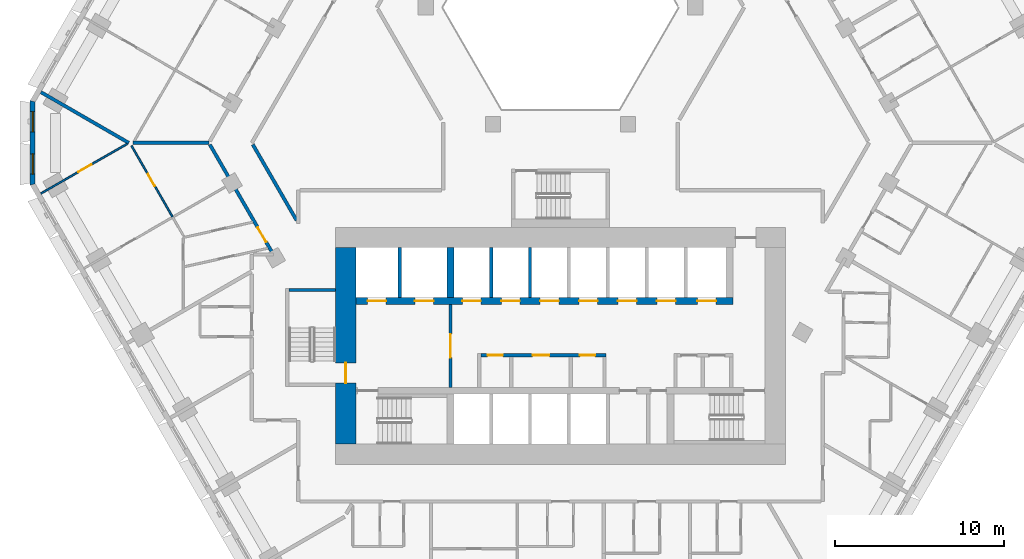
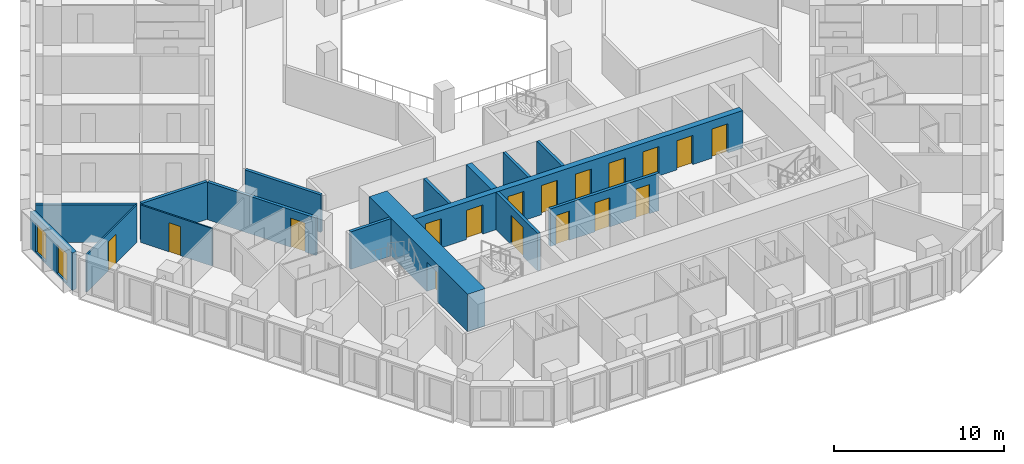
# One storey, part 5 of 21: 17 doors, 16 walls, 2 windows, 19 openings.
"""IFC4 building model written with IfcOpenShell, lengths in metres."""

from ifc_helpers import new_model, si_unit, direction, frame, frame_2d, origin, place, context, subcontext, project, spatial, polyline, rectangle, outline, extrude, material, layer, layer_set, type_object, element, fill, save


model = new_model("IFC4")

# Units and contexts
model_context = context("Model", 3, precision=1e-05, world=origin(), true_north=direction((0.0, 1.0)))
body_context = subcontext(model_context, "Body", "Model", "MODEL_VIEW")
ifc_project = project(units=[si_unit("LENGTHUNIT", "METRE"), si_unit("AREAUNIT", "SQUARE_METRE"), si_unit("VOLUMEUNIT", "CUBIC_METRE"), si_unit("PLANEANGLEUNIT", "RADIAN"), si_unit("MASSUNIT", "GRAM", prefix="KILO")], contexts=[model_context])

# Site, building, storey
site_placement = place(None, origin())
site = spatial("IfcSite", under=ifc_project, at=site_placement, CompositionType="ELEMENT")
building_placement = place(site_placement, origin())
building = spatial("IfcBuilding", under=site, at=building_placement, Name="Beryl Residences", CompositionType="ELEMENT")
storey_placement = place(building_placement, frame((0.0, 0.0, 29.39990234375)))
storey = spatial("IfcBuildingStorey", under=building, at=storey_placement, Name="L08", CompositionType="ELEMENT", Elevation=29.39990234375)

# Wall, openings, windows
ifc_material_1 = material(Name="Composite metal panel with mineral wool insulation")
ifc_layer_1 = layer(ifc_material_1, 0.300048828125)
ifc_layer_set_1 = layer_set([ifc_layer_1], Name="ES1 pale metal composite panel wall 300 mm")
wall_type_1 = type_object("IfcWallType", Name="ES1 pale metal composite panel wall 300 mm", PredefinedType="SOLIDWALL", material=ifc_layer_set_1)
wall_1_placement = place(storey_placement, frame((-31.199951171875, 2.5, 0.0), z_axis=(0.0, 0.0, 1.0), x_axis=(0.0, -1.0, 0.0)))
wall_1 = element("IfcWall", 1, at=wall_1_placement, inside=storey, type_object=wall_type_1, Name="ES1 external wall L08 NW-SW", PredefinedType="SOLIDWALL", context=body_context, shape_type="SweptSolid", body=[
    extrude(outline(polyline([(0.0, -0.14990234375), (5.0, -0.14990234375), (4.919677734375, 0.14990234375), (0.080322265625, 0.14990234375), (0.0, -0.14990234375)])), origin(), (0.0, 0.0, 1.0), 2.7001953125),
])
opening_1_placement = place(wall_1_placement, frame((0.64990234375, 0.0, 0.14990234375)))
opening_1 = element("IfcOpeningElement", 2, at=opening_1_placement, cuts=wall_1, Name="Opening W2", PredefinedType="OPENING", context=body_context, shape_type="SweptSolid", body=[
    extrude(rectangle(XDim=1.199951171875, YDim=2.10009765625, at=frame_2d((0.60009765625, 1.050048828125))), frame((0.0, 0.159912109375, 0.0), z_axis=(0.0, -1.0, 0.0), x_axis=(1.0, 0.0, 0.0)), (0.0, 0.0, 1.0), 0.320068359375),
])
opening_2_placement = place(wall_1_placement, frame((3.14990234375, 0.0, 0.14990234375)))
opening_2 = element("IfcOpeningElement", 3, at=opening_2_placement, cuts=wall_1, Name="Opening W2", PredefinedType="OPENING", context=body_context, shape_type="SweptSolid", body=[
    extrude(rectangle(XDim=1.199951171875, YDim=2.10009765625, at=frame_2d((0.60009765625, 1.050048828125))), frame((0.0, 0.159912109375, 0.0), z_axis=(0.0, -1.0, 0.0), x_axis=(1.0, 0.0, 0.0)), (0.0, 0.0, 1.0), 0.320068359375),
])
ifc_material_2 = material(Name="Aluminium and clear glass", Category="aluminium")
window_type = type_object("IfcWindowType", Name="W2 chamfer window 1200 x 2100 mm", PartitioningType="SINGLE_PANEL", PredefinedType="WINDOW", material=ifc_material_2)
window_1_placement = place(opening_1_placement, origin())
window_1 = element("IfcWindow", 4, at=window_1_placement, inside=storey, type_object=window_type, Name="W2 window L08 NW-SW 1", OverallHeight=2.10009765625, OverallWidth=1.199951171875, PartitioningType="SINGLE_PANEL", PredefinedType="WINDOW", context=body_context, shape_type="SweptSolid", body=[
    extrude(rectangle(XDim=1.199951171875, YDim=2.10009765625, at=frame_2d((0.60009765625, 1.050048828125))), frame((0.0, 0.030029296875, 0.0), z_axis=(0.0, -1.0, 0.0), x_axis=(1.0, 0.0, 0.0)), (0.0, 0.0, 1.0), 0.06005859375),
])
fill(opening_1, window_1)
window_2_placement = place(opening_2_placement, origin())
window_2 = element("IfcWindow", 5, at=window_2_placement, inside=storey, type_object=window_type, Name="W2 window L08 NW-SW 2", OverallHeight=2.10009765625, OverallWidth=1.199951171875, PartitioningType="SINGLE_PANEL", PredefinedType="WINDOW", context=body_context, shape_type="SweptSolid", body=[
    extrude(rectangle(XDim=1.199951171875, YDim=2.10009765625, at=frame_2d((0.60009765625, 1.050048828125))), frame((0.0, 0.030029296875, 0.0), z_axis=(0.0, -1.0, 0.0), x_axis=(1.0, 0.0, 0.0)), (0.0, 0.0, 1.0), 0.06005859375),
])
fill(opening_2, window_2)

# Wall, opening, door
ifc_material_3 = material(Name="Gypsum board partition on steel studs", Category="steel")
ifc_layer_2 = layer(ifc_material_3, 0.10009765625)
ifc_layer_set_2 = layer_set([ifc_layer_2], Name="PT1 partition 100 mm gypsum board on steel studs")
wall_type_2 = type_object("IfcWallType", Name="PT1 partition 100 mm gypsum board on steel studs", PredefinedType="PARTITIONING", material=ifc_layer_set_2)
wall_2_placement = place(storey_placement, frame((-25.35791015625, -0.174072265625, 0.0), z_axis=(0.0, 0.0, 1.0), x_axis=(0.500093956194, -0.865971151354, 0.0)))
wall_2 = element("IfcWall", 6, at=wall_2_placement, inside=storey, type_object=wall_type_2, Name="Wall PT1 L08 002", PredefinedType="PARTITIONING", context=body_context, shape_type="SweptSolid", body=[
    extrude(rectangle(XDim=4.873046875, YDim=0.10009765625, at=frame_2d((2.4365234375, 0.0))), origin(), (0.0, 0.0, 1.0), 2.7001953125),
])
opening_3_placement = place(wall_2_placement, frame((1.93701171875, 0.0, 0.0)))
opening_3 = element("IfcOpeningElement", 7, at=opening_3_placement, cuts=wall_2, Name="Opening D0175", PredefinedType="OPENING", context=body_context, shape_type="SweptSolid", body=[
    extrude(rectangle(XDim=0.800048828125, YDim=2.10009765625, at=frame_2d((0.39990234375, 1.050048828125))), frame((0.0, 0.06005859375, 0.0), z_axis=(0.0, -1.0, 0.0), x_axis=(1.0, 0.0, 0.0)), (0.0, 0.0, 1.0), 0.1201171875),
])
ifc_material_4 = material(Name="Timber door leaf", Category="wood")
door_type_1 = type_object("IfcDoorType", Name="D3 bathroom door 800 x 2100 mm", OperationType="SINGLE_SWING_LEFT", PredefinedType="DOOR", material=ifc_material_4)
door_1_placement = place(opening_3_placement, origin())
door_1 = element("IfcDoor", 8, at=door_1_placement, inside=storey, type_object=door_type_1, Name="Door D0175 L08 001", OperationType="SINGLE_SWING_LEFT", OverallHeight=2.10009765625, OverallWidth=0.800048828125, PredefinedType="DOOR", context=body_context, shape_type="SweptSolid", body=[
    extrude(rectangle(XDim=0.800048828125, YDim=2.10009765625, at=frame_2d((0.39990234375, 1.050048828125))), frame((0.0, 0.02490234375, 0.0), z_axis=(0.0, -1.0, 0.0), x_axis=(1.0, 0.0, 0.0)), (0.0, 0.0, 1.0), 0.050048828125),
])
fill(opening_3, door_1)

wall_3_placement = place(storey_placement, frame((-30.715087890625, -3.0, 0.0), z_axis=(0.0, 0.0, 1.0), x_axis=(0.866054318203, 0.499949915414, 0.0)))
wall_3 = element("IfcWall", 9, at=wall_3_placement, inside=storey, type_object=wall_type_2, Name="Wall PT1 L08 065", PredefinedType="PARTITIONING", context=body_context, shape_type="SweptSolid", body=[
    extrude(rectangle(XDim=5.88427734375, YDim=0.10009765625, at=frame_2d((2.942138671875, 0.0))), origin(), (0.0, 0.0, 1.0), 2.7001953125),
])
opening_4_placement = place(wall_3_placement, frame((2.550048828125, 0.0, 0.0)))
opening_4 = element("IfcOpeningElement", 10, at=opening_4_placement, cuts=wall_3, Name="Opening D0174", PredefinedType="OPENING", context=body_context, shape_type="SweptSolid", body=[
    extrude(rectangle(XDim=0.89990234375, YDim=2.10009765625, at=frame_2d((0.449951171875, 1.050048828125))), frame((0.0, 0.06005859375, 0.0), z_axis=(0.0, -1.0, 0.0), x_axis=(1.0, 0.0, 0.0)), (0.0, 0.0, 1.0), 0.1201171875),
])
ifc_material_5 = material(Name="Timber door leaf", Category="wood")
door_type_2 = type_object("IfcDoorType", Name="D2 room door 900 x 2100 mm", OperationType="SINGLE_SWING_LEFT", PredefinedType="DOOR", material=ifc_material_5)
door_2_placement = place(opening_4_placement, origin())
door_2 = element("IfcDoor", 11, at=door_2_placement, inside=storey, type_object=door_type_2, Name="Door D0174 L08 001", OperationType="SINGLE_SWING_RIGHT", OverallHeight=2.10009765625, OverallWidth=0.89990234375, PredefinedType="DOOR", context=body_context, shape_type="SweptSolid", body=[
    extrude(rectangle(XDim=0.89990234375, YDim=2.10009765625, at=frame_2d((0.449951171875, 1.050048828125))), frame((0.0, 0.02490234375, 0.0), z_axis=(0.0, -1.0, 0.0), x_axis=(1.0, 0.0, 0.0)), (0.0, 0.0, 1.0), 0.050048828125),
])
fill(opening_4, door_2)

ifc_material_6 = material(Name="Concrete masonry", Category="masonry")
ifc_layer_3 = layer(ifc_material_6, 0.199951171875)
ifc_layer_set_3 = layer_set([ifc_layer_3], Name="PT13 lobby wall 200 mm")
wall_type_3 = type_object("IfcWallType", Name="PT13 lobby wall 200 mm", PredefinedType="PARTITIONING", material=ifc_layer_set_3)
wall_4_placement = place(storey_placement, frame((-6.5, -14.449951171875, 0.0), z_axis=(0.0, 0.0, 1.0), x_axis=(0.0, 1.0, 0.0)))
wall_4 = element("IfcWall", 12, at=wall_4_placement, inside=storey, type_object=wall_type_3, Name="Lobby wall 06", PredefinedType="PARTITIONING", context=body_context, shape_type="SweptSolid", body=[
    extrude(rectangle(XDim=4.89990234375, YDim=0.199951171875, at=frame_2d((2.449951171875, 0.0))), origin(), (0.0, 0.0, 1.0), 2.7001953125),
])
opening_5_placement = place(wall_4_placement, frame((3.14990234375, 0.0, 0.0), z_axis=(0.0, 0.0, 1.0), x_axis=(-1.0, 0.0, 0.0)))
opening_5 = element("IfcOpeningElement", 13, at=opening_5_placement, cuts=wall_4, Name="Opening FD-FFL", PredefinedType="OPENING", context=body_context, shape_type="SweptSolid", body=[
    extrude(rectangle(XDim=1.39990234375, YDim=2.10009765625, at=frame_2d((0.699951171875, 1.050048828125))), frame((0.0, 0.10986328125, 0.0), z_axis=(0.0, -1.0, 0.0), x_axis=(1.0, 0.0, 0.0)), (0.0, 0.0, 1.0), 0.219970703125),
])
ifc_material_7 = material(Name="Steel door leaf in steel frame", Category="steel")
door_type_3 = type_object("IfcDoorType", Name="D5 lobby door 1400 x 2100 mm", OperationType="DOUBLE_DOOR_SINGLE_SWING", PredefinedType="DOOR", material=ifc_material_7)
door_3_placement = place(opening_5_placement, origin())
door_3 = element("IfcDoor", 14, at=door_3_placement, inside=storey, type_object=door_type_3, Name="Door FD-FFL L08 001", OperationType="DOUBLE_DOOR_SINGLE_SWING", OverallHeight=2.10009765625, OverallWidth=1.39990234375, PredefinedType="DOOR", context=body_context, shape_type="SweptSolid", body=[
    extrude(rectangle(XDim=1.39990234375, YDim=2.10009765625, at=frame_2d((0.699951171875, 1.050048828125))), frame((0.0, 0.02490234375, 0.0), z_axis=(0.0, -1.0, 0.0), x_axis=(1.0, 0.0, 0.0)), (0.0, 0.0, 1.0), 0.050048828125),
])
fill(opening_5, door_3)

# Wall, openings, doors
wall_5_placement = place(storey_placement, frame((-4.699951171875, -12.550048828125, 0.0), z_axis=(0.0, 0.0, 1.0), x_axis=(1.0, 0.0, 0.0)))
wall_5 = element("IfcWall", 15, at=wall_5_placement, inside=storey, type_object=wall_type_3, Name="Lobby wall 08", PredefinedType="PARTITIONING", context=body_context, shape_type="SweptSolid", body=[
    extrude(rectangle(XDim=7.39990234375, YDim=0.199951171875, at=frame_2d((3.699951171875, 0.0))), origin(), (0.0, 0.0, 1.0), 2.7001953125),
])
opening_6_placement = place(wall_5_placement, frame((1.2998046875, 0.0, 0.0), z_axis=(0.0, 0.0, 1.0), x_axis=(-1.0, 0.0, 0.0)))
opening_6 = element("IfcOpeningElement", 16, at=opening_6_placement, cuts=wall_5, Name="Opening CD-D-A1-900", PredefinedType="OPENING", context=body_context, shape_type="SweptSolid", body=[
    extrude(rectangle(XDim=0.89990234375, YDim=2.10009765625, at=frame_2d((0.449951171875, 1.050048828125))), frame((0.0, 0.10986328125, 0.0), z_axis=(0.0, -1.0, 0.0), x_axis=(1.0, 0.0, 0.0)), (0.0, 0.0, 1.0), 0.219970703125),
])
opening_7_placement = place(wall_5_placement, frame((4.050048828125, 0.0, 0.0), z_axis=(0.0, 0.0, 1.0), x_axis=(-1.0, 0.0, 0.0)))
opening_7 = element("IfcOpeningElement", 17, at=opening_7_placement, cuts=wall_5, Name="Opening CD-D-A2", PredefinedType="OPENING", context=body_context, shape_type="SweptSolid", body=[
    extrude(rectangle(XDim=1.0, YDim=2.10009765625, at=frame_2d((0.5, 1.050048828125))), frame((0.0, 0.10986328125, 0.0), z_axis=(0.0, -1.0, 0.0), x_axis=(1.0, 0.0, 0.0)), (0.0, 0.0, 1.0), 0.219970703125),
])
opening_8_placement = place(wall_5_placement, frame((6.75, 0.0, 0.0), z_axis=(0.0, 0.0, 1.0), x_axis=(-1.0, 0.0, 0.0)))
opening_8 = element("IfcOpeningElement", 18, at=opening_8_placement, cuts=wall_5, Name="Opening CD-D-A3-900", PredefinedType="OPENING", context=body_context, shape_type="SweptSolid", body=[
    extrude(rectangle(XDim=0.89990234375, YDim=2.10009765625, at=frame_2d((0.449951171875, 1.050048828125))), frame((0.0, 0.10986328125, 0.0), z_axis=(0.0, -1.0, 0.0), x_axis=(1.0, 0.0, 0.0)), (0.0, 0.0, 1.0), 0.219970703125),
])
ifc_material_8 = material(Name="Steel door leaf in steel frame", Category="steel")
door_type_4 = type_object("IfcDoorType", Name="D18 service room door 1000 x 2100 mm", OperationType="SINGLE_SWING_LEFT", PredefinedType="DOOR", material=ifc_material_8)
door_4_placement = place(opening_7_placement, origin())
door_4 = element("IfcDoor", 19, at=door_4_placement, inside=storey, type_object=door_type_4, Name="Door CD-D-A2 L08 001", OperationType="SINGLE_SWING_LEFT", OverallHeight=2.10009765625, OverallWidth=1.0, PredefinedType="DOOR", context=body_context, shape_type="SweptSolid", body=[
    extrude(rectangle(XDim=1.0, YDim=2.10009765625, at=frame_2d((0.5, 1.050048828125))), frame((0.0, 0.02490234375, 0.0), z_axis=(0.0, -1.0, 0.0), x_axis=(1.0, 0.0, 0.0)), (0.0, 0.0, 1.0), 0.050048828125),
])
fill(opening_7, door_4)
ifc_material_9 = material(Name="Steel door leaf in steel frame", Category="steel")
door_type_5 = type_object("IfcDoorType", Name="D6 service room door 900 x 2100 mm", OperationType="SINGLE_SWING_LEFT", PredefinedType="DOOR", material=ifc_material_9)
door_5_placement = place(opening_6_placement, origin())
door_5 = element("IfcDoor", 20, at=door_5_placement, inside=storey, type_object=door_type_5, Name="Door CD-D-A1-900 L08 001", OperationType="SINGLE_SWING_RIGHT", OverallHeight=2.10009765625, OverallWidth=0.89990234375, PredefinedType="DOOR", context=body_context, shape_type="SweptSolid", body=[
    extrude(rectangle(XDim=0.89990234375, YDim=2.10009765625, at=frame_2d((0.449951171875, 1.050048828125))), frame((0.0, 0.02490234375, 0.0), z_axis=(0.0, -1.0, 0.0), x_axis=(1.0, 0.0, 0.0)), (0.0, 0.0, 1.0), 0.050048828125),
])
fill(opening_6, door_5)
door_6_placement = place(opening_8_placement, origin())
door_6 = element("IfcDoor", 21, at=door_6_placement, inside=storey, type_object=door_type_5, Name="Door CD-D-A3-900 L08 001", OperationType="SINGLE_SWING_RIGHT", OverallHeight=2.10009765625, OverallWidth=0.89990234375, PredefinedType="DOOR", context=body_context, shape_type="SweptSolid", body=[
    extrude(rectangle(XDim=0.89990234375, YDim=2.10009765625, at=frame_2d((0.449951171875, 1.050048828125))), frame((0.0, 0.02490234375, 0.0), z_axis=(0.0, -1.0, 0.0), x_axis=(1.0, 0.0, 0.0)), (0.0, 0.0, 1.0), 0.050048828125),
])
fill(opening_8, door_6)

# Walls
ifc_material_10 = material(Name="Acoustic double stud gypsum board wall")
ifc_layer_4 = layer(ifc_material_10, 0.199951171875)
ifc_layer_set_4 = layer_set([ifc_layer_4], Name="PT3 party wall 200 mm acoustic double stud")
wall_type_4 = type_object("IfcWallType", Name="PT3 party wall 200 mm acoustic double stud", PredefinedType="PARTITIONING", material=ifc_layer_set_4)
wall_6_placement = place(storey_placement, frame((-30.716064453125, 2.9990234375, 0.0), z_axis=(0.0, 0.0, 1.0), x_axis=(0.866020924479, -0.500007758305, 0.0)))
element("IfcWall", 22, at=wall_6_placement, inside=storey, type_object=wall_type_4, Name="Wall PT3 L08 009", PredefinedType="PARTITIONING", context=body_context, shape_type="SweptSolid", body=[
    extrude(rectangle(XDim=6.0, YDim=0.199951171875, at=frame_2d((3.0, 0.0))), origin(), (0.0, 0.0, 1.0), 2.7001953125),
])
wall_7_placement = place(storey_placement, frame((-25.258056640625, -0.0009765625, 0.0), z_axis=(0.0, 0.0, 1.0), x_axis=(1.0, 0.0, 0.0)))
element("IfcWall", 23, at=wall_7_placement, inside=storey, type_object=wall_type_4, Name="Wall PT3 L08 013", PredefinedType="PARTITIONING", context=body_context, shape_type="SweptSolid", body=[
    extrude(rectangle(XDim=4.47412109375, YDim=0.199951171875, at=frame_2d((2.237060546875, 0.0))), origin(), (0.0, 0.0, 1.0), 2.7001953125),
])
ifc_material_11 = material(Name="Double stud gypsum board wall")
ifc_layer_5 = layer(ifc_material_11, 0.199951171875)
ifc_layer_set_5 = layer_set([ifc_layer_5], Name="PT4 corridor wall 200 mm double stud")
wall_type_5 = type_object("IfcWallType", Name="PT4 corridor wall 200 mm double stud", PredefinedType="PARTITIONING", material=ifc_layer_set_5)
wall_8_placement = place(storey_placement, frame((-18.18603515625, -0.10107421875, 0.0), z_axis=(0.0, 0.0, 1.0), x_axis=(0.499997591167, -0.86602679452, 0.0)))
element("IfcWall", 24, at=wall_8_placement, inside=storey, type_object=wall_type_5, Name="Wall PT4 L08 002", PredefinedType="PARTITIONING", context=body_context, shape_type="SweptSolid", body=[
    extrude(rectangle(XDim=5.171875, YDim=0.199951171875, at=frame_2d((2.5859375, 0.0))), origin(), (0.0, 0.0, 1.0), 2.7001953125),
])

# Wall, opening, door
wall_9_placement = place(storey_placement, frame((-20.72705078125, -0.10107421875, 0.0), z_axis=(0.0, 0.0, 1.0), x_axis=(0.500065652488, -0.865987495984, 0.0)))
wall_9 = element("IfcWall", 25, at=wall_9_placement, inside=storey, type_object=wall_type_5, Name="Wall PT4 L08 003", PredefinedType="PARTITIONING", context=body_context, shape_type="SweptSolid", body=[
    extrude(rectangle(XDim=7.38916015625, YDim=0.199951171875, at=frame_2d((3.694580078125, 0.0))), origin(), (0.0, 0.0, 1.0), 2.7001953125),
])
opening_9_placement = place(wall_9_placement, frame((5.654052734375, 0.0, 0.0)))
opening_9 = element("IfcOpeningElement", 26, at=opening_9_placement, cuts=wall_9, Name="Opening D0169", PredefinedType="OPENING", context=body_context, shape_type="SweptSolid", body=[
    extrude(rectangle(XDim=1.0, YDim=2.10009765625, at=frame_2d((0.5, 1.050048828125))), frame((0.0, 0.10986328125, 0.0), z_axis=(0.0, -1.0, 0.0), x_axis=(1.0, 0.0, 0.0)), (0.0, 0.0, 1.0), 0.219970703125),
])
ifc_material_12 = material(Name="Timber door leaf", Category="wood")
door_type_6 = type_object("IfcDoorType", Name="D1 flat entrance door 1000 x 2100 mm", OperationType="SINGLE_SWING_LEFT", PredefinedType="DOOR", material=ifc_material_12)
door_7_placement = place(opening_9_placement, origin())
door_7 = element("IfcDoor", 27, at=door_7_placement, inside=storey, type_object=door_type_6, Name="Door D0169 L08 001", OperationType="SINGLE_SWING_LEFT", OverallHeight=2.10009765625, OverallWidth=1.0, PredefinedType="DOOR", context=body_context, shape_type="SweptSolid", body=[
    extrude(rectangle(XDim=1.0, YDim=2.10009765625, at=frame_2d((0.5, 1.050048828125))), frame((0.0, 0.02490234375, 0.0), z_axis=(0.0, -1.0, 0.0), x_axis=(1.0, 0.0, 0.0)), (0.0, 0.0, 1.0), 0.050048828125),
])
fill(opening_9, door_7)

# Walls
ifc_material_13 = material(Name="Concrete C40/50", Category="concrete")
ifc_layer_6 = layer(ifc_material_13, 0.199951171875)
ifc_layer_set_6 = layer_set([ifc_layer_6], Name="PT5 stair enclosure wall 200 mm reinforced concrete C40/50")
wall_type_6 = type_object("IfcWallType", Name="PT5 stair enclosure wall 200 mm reinforced concrete C40/50", PredefinedType="SOLIDWALL", material=ifc_layer_set_6)
wall_10_placement = place(storey_placement, frame((-16.050048828125, -8.699951171875, 0.0), z_axis=(0.0, 0.0, 1.0), x_axis=(1.0, 0.0, 0.0)))
element("IfcWall", 28, at=wall_10_placement, inside=storey, type_object=wall_type_6, Name="Stair wall 03", PredefinedType="SOLIDWALL", context=body_context, shape_type="SweptSolid", body=[
    extrude(rectangle(XDim=2.75, YDim=0.199951171875, at=frame_2d((1.375, 0.0))), origin(), (0.0, 0.0, 1.0), 2.7001953125),
])
ifc_material_14 = material(Name="Concrete C40/50", Category="concrete")
ifc_layer_7 = layer(ifc_material_14, 0.199951171875)
ifc_layer_set_7 = layer_set([ifc_layer_7], Name="PT6 lift shaft wall 200 mm reinforced concrete C40/50")
wall_type_7 = type_object("IfcWallType", Name="PT6 lift shaft wall 200 mm reinforced concrete C40/50", PredefinedType="SOLIDWALL", material=ifc_layer_set_7)
for number, where, z_axis, x_axis, name in (
    (29, (-9.5, -9.14990234375, 0.0), (0.0, 0.0, 1.0), (0.0, 1.0, 0.0), "Lift shaft wall 05"),
    (30, (-4.10009765625, -9.14990234375, 0.0), (0.0, 0.0, 1.0), (0.0, 1.0, 0.0), "Lift shaft wall 10"),
    (31, (-1.800048828125, -9.14990234375, 0.0), (0.0, 0.0, 1.0), (0.0, 1.0, 0.0), "Lift shaft wall 13"),
):
    element("IfcWall", number, at=place(storey_placement, frame(where, z_axis=z_axis, x_axis=x_axis)), inside=storey, type_object=wall_type_7, Name=name, PredefinedType="SOLIDWALL", context=body_context, shape_type="SweptSolid", body=[
        extrude(rectangle(XDim=2.949951171875, YDim=0.199951171875, at=frame_2d((1.47509765625, 0.0))), origin(), (0.0, 0.0, 1.0), 2.7001953125),
    ])

# Wall, opening, door
ifc_material_15 = material(Name="Concrete C80/95", Category="concrete")
ifc_layer_8 = layer(ifc_material_15, 1.199951171875)
ifc_layer_set_8 = layer_set([ifc_layer_8], Name="SW1 core outer wall 1200 mm C80/95")
wall_type_8 = type_object("IfcWallType", Name="SW1 core outer wall 1200 mm C80/95", PredefinedType="SHEAR", material=ifc_layer_set_8)
wall_11_placement = place(storey_placement, frame((-12.699951171875, -17.800048828125, 0.0), z_axis=(0.0, 0.0, 1.0), x_axis=(0.0, 1.0, 0.0)))
wall_11 = element("IfcWall", 32, at=wall_11_placement, inside=storey, type_object=wall_type_8, Name="Core wall W L08", PredefinedType="SHEAR", context=body_context, shape_type="SweptSolid", body=[
    extrude(rectangle(XDim=11.60009765625, YDim=1.199951171875, at=frame_2d((5.800048828125, 0.0))), origin(), (0.0, 0.0, 1.0), 2.7001953125),
])
opening_10_placement = place(wall_11_placement, frame((3.60009765625, 0.0, 0.0)))
opening_10 = element("IfcOpeningElement", 33, at=opening_10_placement, cuts=wall_11, Name="Opening SD-2", PredefinedType="OPENING", context=body_context, shape_type="SweptSolid", body=[
    extrude(rectangle(XDim=1.199951171875, YDim=2.10009765625, at=frame_2d((0.60009765625, 1.050048828125))), frame((0.0, 0.60986328125, 0.0), z_axis=(0.0, -1.0, 0.0), x_axis=(1.0, 0.0, 0.0)), (0.0, 0.0, 1.0), 1.219970703125),
])
ifc_material_16 = material(Name="Steel door leaf in steel frame", Category="steel")
door_type_7 = type_object("IfcDoorType", Name="D4 stair door 1200 x 2100 mm", OperationType="SINGLE_SWING_LEFT", PredefinedType="DOOR", material=ifc_material_16)
door_8_placement = place(opening_10_placement, origin())
door_8 = element("IfcDoor", 34, at=door_8_placement, inside=storey, type_object=door_type_7, Name="Door SD-2 L08 001", OperationType="SINGLE_SWING_RIGHT", OverallHeight=2.10009765625, OverallWidth=1.199951171875, PredefinedType="DOOR", context=body_context, shape_type="SweptSolid", body=[
    extrude(rectangle(XDim=1.199951171875, YDim=2.10009765625, at=frame_2d((0.60009765625, 1.050048828125))), frame((0.0, 0.02490234375, 0.0), z_axis=(0.0, -1.0, 0.0), x_axis=(1.0, 0.0, 0.0)), (0.0, 0.0, 1.0), 0.050048828125),
])
fill(opening_10, door_8)

# Wall, openings, doors
ifc_material_17 = material(Name="Concrete C80/95", Category="concrete")
ifc_layer_9 = layer(ifc_material_17, 0.39990234375)
ifc_layer_set_9 = layer_set([ifc_layer_9], Name="SW6 core internal wall 400 mm C80/95")
wall_type_9 = type_object("IfcWallType", Name="SW6 core internal wall 400 mm C80/95", PredefinedType="SHEAR", material=ifc_layer_set_9)
wall_12_placement = place(storey_placement, frame((-12.10009765625, -9.35009765625, 0.0), z_axis=(0.0, 0.0, 1.0), x_axis=(1.0, 0.0, 0.0)))
wall_12 = element("IfcWall", 35, at=wall_12_placement, inside=storey, type_object=wall_type_9, Name="Core wall SP2 L08", PredefinedType="SHEAR", context=body_context, shape_type="SweptSolid", body=[
    extrude(rectangle(XDim=22.300048828125, YDim=0.39990234375, at=frame_2d((11.14990234375, 0.0))), origin(), (0.0, 0.0, 1.0), 2.7001953125),
])
opening_11_placement = place(wall_12_placement, frame((0.699951171875, 0.0, 0.0)))
opening_11 = element("IfcOpeningElement", 36, at=opening_11_placement, cuts=wall_12, Name="Opening LD-FF1", PredefinedType="OPENING", context=body_context, shape_type="SweptSolid", body=[
    extrude(rectangle(XDim=1.10009765625, YDim=2.10009765625, at=frame_2d((0.550048828125, 1.050048828125))), frame((0.0, 0.2099609375, 0.0), z_axis=(0.0, -1.0, 0.0), x_axis=(1.0, 0.0, 0.0)), (0.0, 0.0, 1.0), 0.419921875),
])
opening_12_placement = place(wall_12_placement, frame((3.5, 0.0, 0.0)))
opening_12 = element("IfcOpeningElement", 37, at=opening_12_placement, cuts=wall_12, Name="Opening LD-FF2", PredefinedType="OPENING", context=body_context, shape_type="SweptSolid", body=[
    extrude(rectangle(XDim=1.10009765625, YDim=2.10009765625, at=frame_2d((0.550048828125, 1.050048828125))), frame((0.0, 0.2099609375, 0.0), z_axis=(0.0, -1.0, 0.0), x_axis=(1.0, 0.0, 0.0)), (0.0, 0.0, 1.0), 0.419921875),
])
opening_13_placement = place(wall_12_placement, frame((6.300048828125, 0.0, 0.0)))
opening_13 = element("IfcOpeningElement", 38, at=opening_13_placement, cuts=wall_12, Name="Opening LD-LR1", PredefinedType="OPENING", context=body_context, shape_type="SweptSolid", body=[
    extrude(rectangle(XDim=1.10009765625, YDim=2.10009765625, at=frame_2d((0.550048828125, 1.050048828125))), frame((0.0, 0.2099609375, 0.0), z_axis=(0.0, -1.0, 0.0), x_axis=(1.0, 0.0, 0.0)), (0.0, 0.0, 1.0), 0.419921875),
])
opening_14_placement = place(wall_12_placement, frame((8.60009765625, 0.0, 0.0)))
opening_14 = element("IfcOpeningElement", 39, at=opening_14_placement, cuts=wall_12, Name="Opening LD-LR2", PredefinedType="OPENING", context=body_context, shape_type="SweptSolid", body=[
    extrude(rectangle(XDim=1.10009765625, YDim=2.10009765625, at=frame_2d((0.550048828125, 1.050048828125))), frame((0.0, 0.2099609375, 0.0), z_axis=(0.0, -1.0, 0.0), x_axis=(1.0, 0.0, 0.0)), (0.0, 0.0, 1.0), 0.419921875),
])
opening_15_placement = place(wall_12_placement, frame((10.89990234375, 0.0, 0.0)))
opening_15 = element("IfcOpeningElement", 40, at=opening_15_placement, cuts=wall_12, Name="Opening LD-LR3", PredefinedType="OPENING", context=body_context, shape_type="SweptSolid", body=[
    extrude(rectangle(XDim=1.10009765625, YDim=2.10009765625, at=frame_2d((0.550048828125, 1.050048828125))), frame((0.0, 0.2099609375, 0.0), z_axis=(0.0, -1.0, 0.0), x_axis=(1.0, 0.0, 0.0)), (0.0, 0.0, 1.0), 0.419921875),
])
opening_16_placement = place(wall_12_placement, frame((13.199951171875, 0.0, 0.0)))
opening_16 = element("IfcOpeningElement", 41, at=opening_16_placement, cuts=wall_12, Name="Opening LD-LR4", PredefinedType="OPENING", context=body_context, shape_type="SweptSolid", body=[
    extrude(rectangle(XDim=1.10009765625, YDim=2.10009765625, at=frame_2d((0.550048828125, 1.050048828125))), frame((0.0, 0.2099609375, 0.0), z_axis=(0.0, -1.0, 0.0), x_axis=(1.0, 0.0, 0.0)), (0.0, 0.0, 1.0), 0.419921875),
])
opening_17_placement = place(wall_12_placement, frame((15.5, 0.0, 0.0)))
opening_17 = element("IfcOpeningElement", 42, at=opening_17_placement, cuts=wall_12, Name="Opening LD-LR5", PredefinedType="OPENING", context=body_context, shape_type="SweptSolid", body=[
    extrude(rectangle(XDim=1.10009765625, YDim=2.10009765625, at=frame_2d((0.550048828125, 1.050048828125))), frame((0.0, 0.2099609375, 0.0), z_axis=(0.0, -1.0, 0.0), x_axis=(1.0, 0.0, 0.0)), (0.0, 0.0, 1.0), 0.419921875),
])
opening_18_placement = place(wall_12_placement, frame((17.800048828125, 0.0, 0.0)))
opening_18 = element("IfcOpeningElement", 43, at=opening_18_placement, cuts=wall_12, Name="Opening LD-LR6", PredefinedType="OPENING", context=body_context, shape_type="SweptSolid", body=[
    extrude(rectangle(XDim=1.10009765625, YDim=2.10009765625, at=frame_2d((0.550048828125, 1.050048828125))), frame((0.0, 0.2099609375, 0.0), z_axis=(0.0, -1.0, 0.0), x_axis=(1.0, 0.0, 0.0)), (0.0, 0.0, 1.0), 0.419921875),
])
opening_19_placement = place(wall_12_placement, frame((20.199951171875, 0.0, 0.0)))
opening_19 = element("IfcOpeningElement", 44, at=opening_19_placement, cuts=wall_12, Name="Opening LD-SL1", PredefinedType="OPENING", context=body_context, shape_type="SweptSolid", body=[
    extrude(rectangle(XDim=1.10009765625, YDim=2.10009765625, at=frame_2d((0.550048828125, 1.050048828125))), frame((0.0, 0.2099609375, 0.0), z_axis=(0.0, -1.0, 0.0), x_axis=(1.0, 0.0, 0.0)), (0.0, 0.0, 1.0), 0.419921875),
])
ifc_material_18 = material(Name="Stainless steel sliding door", Category="steel")
door_type_8 = type_object("IfcDoorType", Name="LD1 lift landing door 1100 x 2100 mm", OperationType="DOUBLE_DOOR_SLIDING", PredefinedType="DOOR", material=ifc_material_18)
door_9_placement = place(opening_11_placement, origin())
door_9 = element("IfcDoor", 45, at=door_9_placement, inside=storey, type_object=door_type_8, Name="Lift landing door FF1", OperationType="DOUBLE_DOOR_SLIDING", OverallHeight=2.10009765625, OverallWidth=1.10009765625, PredefinedType="DOOR", context=body_context, shape_type="SweptSolid", body=[
    extrude(rectangle(XDim=1.10009765625, YDim=2.10009765625, at=frame_2d((0.550048828125, 1.050048828125))), frame((0.0, 0.02490234375, 0.0), z_axis=(0.0, -1.0, 0.0), x_axis=(1.0, 0.0, 0.0)), (0.0, 0.0, 1.0), 0.050048828125),
])
fill(opening_11, door_9)
door_10_placement = place(opening_12_placement, origin())
door_10 = element("IfcDoor", 46, at=door_10_placement, inside=storey, type_object=door_type_8, Name="Lift landing door FF2", OperationType="DOUBLE_DOOR_SLIDING", OverallHeight=2.10009765625, OverallWidth=1.10009765625, PredefinedType="DOOR", context=body_context, shape_type="SweptSolid", body=[
    extrude(rectangle(XDim=1.10009765625, YDim=2.10009765625, at=frame_2d((0.550048828125, 1.050048828125))), frame((0.0, 0.02490234375, 0.0), z_axis=(0.0, -1.0, 0.0), x_axis=(1.0, 0.0, 0.0)), (0.0, 0.0, 1.0), 0.050048828125),
])
fill(opening_12, door_10)
door_11_placement = place(opening_13_placement, origin())
door_11 = element("IfcDoor", 47, at=door_11_placement, inside=storey, type_object=door_type_8, Name="Lift landing door LR1", OperationType="DOUBLE_DOOR_SLIDING", OverallHeight=2.10009765625, OverallWidth=1.10009765625, PredefinedType="DOOR", context=body_context, shape_type="SweptSolid", body=[
    extrude(rectangle(XDim=1.10009765625, YDim=2.10009765625, at=frame_2d((0.550048828125, 1.050048828125))), frame((0.0, 0.02490234375, 0.0), z_axis=(0.0, -1.0, 0.0), x_axis=(1.0, 0.0, 0.0)), (0.0, 0.0, 1.0), 0.050048828125),
])
fill(opening_13, door_11)
door_12_placement = place(opening_14_placement, origin())
door_12 = element("IfcDoor", 48, at=door_12_placement, inside=storey, type_object=door_type_8, Name="Lift landing door LR2", OperationType="DOUBLE_DOOR_SLIDING", OverallHeight=2.10009765625, OverallWidth=1.10009765625, PredefinedType="DOOR", context=body_context, shape_type="SweptSolid", body=[
    extrude(rectangle(XDim=1.10009765625, YDim=2.10009765625, at=frame_2d((0.550048828125, 1.050048828125))), frame((0.0, 0.02490234375, 0.0), z_axis=(0.0, -1.0, 0.0), x_axis=(1.0, 0.0, 0.0)), (0.0, 0.0, 1.0), 0.050048828125),
])
fill(opening_14, door_12)
door_13_placement = place(opening_15_placement, origin())
door_13 = element("IfcDoor", 49, at=door_13_placement, inside=storey, type_object=door_type_8, Name="Lift landing door LR3", OperationType="DOUBLE_DOOR_SLIDING", OverallHeight=2.10009765625, OverallWidth=1.10009765625, PredefinedType="DOOR", context=body_context, shape_type="SweptSolid", body=[
    extrude(rectangle(XDim=1.10009765625, YDim=2.10009765625, at=frame_2d((0.550048828125, 1.050048828125))), frame((0.0, 0.02490234375, 0.0), z_axis=(0.0, -1.0, 0.0), x_axis=(1.0, 0.0, 0.0)), (0.0, 0.0, 1.0), 0.050048828125),
])
fill(opening_15, door_13)
door_14_placement = place(opening_16_placement, origin())
door_14 = element("IfcDoor", 50, at=door_14_placement, inside=storey, type_object=door_type_8, Name="Lift landing door LR4", OperationType="DOUBLE_DOOR_SLIDING", OverallHeight=2.10009765625, OverallWidth=1.10009765625, PredefinedType="DOOR", context=body_context, shape_type="SweptSolid", body=[
    extrude(rectangle(XDim=1.10009765625, YDim=2.10009765625, at=frame_2d((0.550048828125, 1.050048828125))), frame((0.0, 0.02490234375, 0.0), z_axis=(0.0, -1.0, 0.0), x_axis=(1.0, 0.0, 0.0)), (0.0, 0.0, 1.0), 0.050048828125),
])
fill(opening_16, door_14)
door_15_placement = place(opening_17_placement, origin())
door_15 = element("IfcDoor", 51, at=door_15_placement, inside=storey, type_object=door_type_8, Name="Lift landing door LR5", OperationType="DOUBLE_DOOR_SLIDING", OverallHeight=2.10009765625, OverallWidth=1.10009765625, PredefinedType="DOOR", context=body_context, shape_type="SweptSolid", body=[
    extrude(rectangle(XDim=1.10009765625, YDim=2.10009765625, at=frame_2d((0.550048828125, 1.050048828125))), frame((0.0, 0.02490234375, 0.0), z_axis=(0.0, -1.0, 0.0), x_axis=(1.0, 0.0, 0.0)), (0.0, 0.0, 1.0), 0.050048828125),
])
fill(opening_17, door_15)
door_16_placement = place(opening_18_placement, origin())
door_16 = element("IfcDoor", 52, at=door_16_placement, inside=storey, type_object=door_type_8, Name="Lift landing door LR6", OperationType="DOUBLE_DOOR_SLIDING", OverallHeight=2.10009765625, OverallWidth=1.10009765625, PredefinedType="DOOR", context=body_context, shape_type="SweptSolid", body=[
    extrude(rectangle(XDim=1.10009765625, YDim=2.10009765625, at=frame_2d((0.550048828125, 1.050048828125))), frame((0.0, 0.02490234375, 0.0), z_axis=(0.0, -1.0, 0.0), x_axis=(1.0, 0.0, 0.0)), (0.0, 0.0, 1.0), 0.050048828125),
])
fill(opening_18, door_16)
door_17_placement = place(opening_19_placement, origin())
door_17 = element("IfcDoor", 53, at=door_17_placement, inside=storey, type_object=door_type_8, Name="Lift landing door SL1", OperationType="DOUBLE_DOOR_SLIDING", OverallHeight=2.10009765625, OverallWidth=1.10009765625, PredefinedType="DOOR", context=body_context, shape_type="SweptSolid", body=[
    extrude(rectangle(XDim=1.10009765625, YDim=2.10009765625, at=frame_2d((0.550048828125, 1.050048828125))), frame((0.0, 0.02490234375, 0.0), z_axis=(0.0, -1.0, 0.0), x_axis=(1.0, 0.0, 0.0)), (0.0, 0.0, 1.0), 0.050048828125),
])
fill(opening_19, door_17)

# Wall
wall_13_placement = place(storey_placement, frame((-6.5, -9.14990234375, 0.0), z_axis=(0.0, 0.0, 1.0), x_axis=(0.0, 1.0, 0.0)))
element("IfcWall", 54, at=wall_13_placement, inside=storey, type_object=wall_type_9, Name="Core wall XN1 L08", PredefinedType="SHEAR", context=body_context, shape_type="SweptSolid", body=[
    extrude(rectangle(XDim=2.949951171875, YDim=0.39990234375, at=frame_2d((1.47509765625, 0.0))), origin(), (0.0, 0.0, 1.0), 2.7001953125),
])

save(model, "model.ifc")
